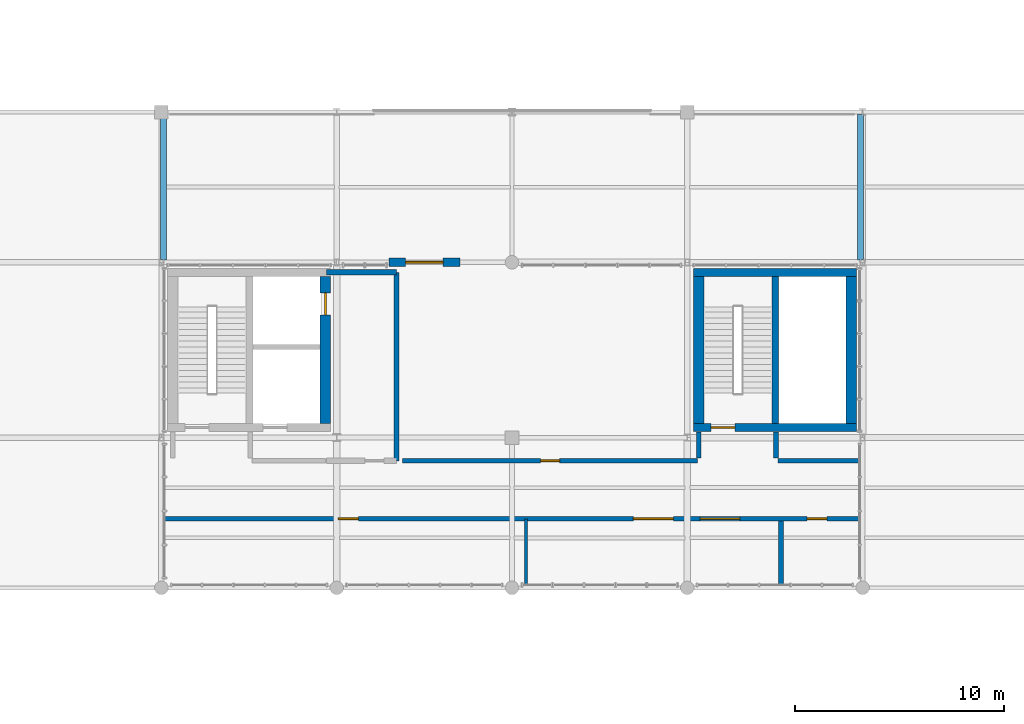
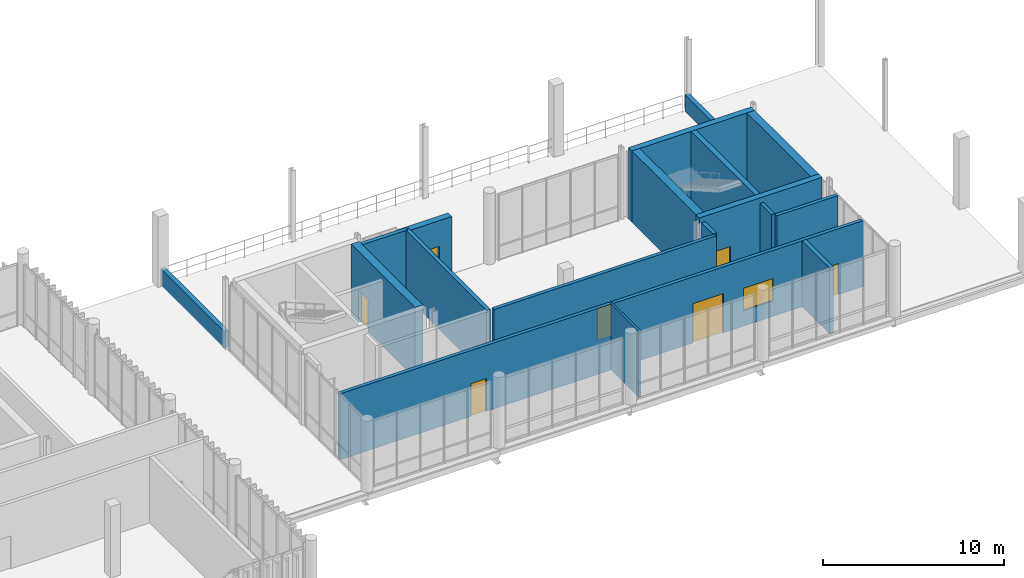
# One storey, part 71 of 81: 18 walls, 7 doors, 1 window, 8 openings.
"""IFC4 building model written with IfcOpenShell, lengths in metres."""

from ifc_helpers import new_model, si_unit, direction, frame, frame_2d, origin_with_axes, place, context, subcontext, project, spatial, rectangle, extrude, material, layer, layer_set, type_object, element, fill, save


model = new_model("IFC4")

# Units and contexts
model_context = context("Model", 3, precision=1e-05, world=origin_with_axes(), true_north=direction((0.0, 1.0)))
body_context = subcontext(model_context, "Body", "Model", "MODEL_VIEW")
ifc_project = project(units=[si_unit("LENGTHUNIT", "METRE"), si_unit("AREAUNIT", "SQUARE_METRE"), si_unit("VOLUMEUNIT", "CUBIC_METRE"), si_unit("PLANEANGLEUNIT", "RADIAN"), si_unit("MASSUNIT", "GRAM", prefix="KILO"), si_unit("THERMODYNAMICTEMPERATUREUNIT", "KELVIN")], contexts=[model_context])

# Site, building, storey
site_placement = place(None, origin_with_axes())
site = spatial("IfcSite", under=ifc_project, at=site_placement, CompositionType="ELEMENT")
building_placement = place(site_placement, origin_with_axes())
building = spatial("IfcBuilding", under=site, at=building_placement, Name="Montbau Bow Law Courts", CompositionType="ELEMENT")
storey_placement = place(building_placement, frame((0.0, 0.0, 24.9), z_axis=(0.0, 0.0, 1.0), x_axis=(1.0, 0.0, 0.0)))
storey = spatial("IfcBuildingStorey", under=building, at=storey_placement, Name="L05", CompositionType="ELEMENT", Elevation=24.9)

# Wall, opening, door
ifc_material_1 = material(Name="Concrete CSA A23.1 f'c 45 MPa", Category="concrete")
ifc_layer_1 = layer(ifc_material_1, 0.5, Name="Shear Wall", Category="concrete")
ifc_layer_set_1 = layer_set([ifc_layer_1], Name="Concrete CSA A23.1 f'c 45 MPa")
wall_type_1 = type_object("IfcWallType", Name="W-COR-01", PredefinedType="SHEAR", material=ifc_layer_set_1)
wall_1_placement = place(None, frame((63.06, 46.87, 24.9), z_axis=(0.0, 0.0, 1.0), x_axis=(0.0, 1.0, 0.0)))
wall_1 = element("IfcWall", 1, at=wall_1_placement, inside=storey, type_object=wall_type_1, Name="WC-L05-0189:wal_0256", PredefinedType="SHEAR", context=body_context, shape_type="SweptSolid", body=[
    extrude(rectangle(XDim=7.060000000000002, YDim=0.5, at=frame_2d((3.53, 0.0), x_axis=(1.0, 0.0))), origin_with_axes(), (0.0, 0.0, 1.0), 4.8),
])
opening_1_placement = place(None, frame((63.06, 52.61, 24.9), z_axis=(0.0, 0.0, 1.0), x_axis=(0.0, 1.0, 0.0)))
opening_1 = element("IfcOpeningElement", 2, at=opening_1_placement, cuts=wall_1, Name="OP-LD-L05-EL-J3", PredefinedType="OPENING", context=body_context, shape_type="SweptSolid", body=[
    extrude(rectangle(XDim=1.06, YDim=2.16, at=frame_2d((0.0, 1.08), x_axis=(1.0, 0.0))), frame((0.0, 0.26, 0.0), z_axis=(0.0, -1.0, 0.0), x_axis=(1.0, 0.0, 0.0)), (0.0, 0.0, 1.0), 0.52),
])
ifc_material_2 = material(Name="Bronze-Clad Judicial Elevator Landing Door", Category="steel")
door_type_1 = type_object("IfcDoorType", Name="LD-JUD-01", OperationType="NOTDEFINED", ParameterTakesPrecedence=False, PredefinedType="DOOR", material=ifc_material_2)
door_1_placement = place(None, frame((63.06, 52.61, 24.9), z_axis=(0.0, 0.0, 1.0), x_axis=(0.0, 1.0, 0.0)))
door_1 = element("IfcDoor", 3, at=door_1_placement, inside=storey, type_object=door_type_1, Name="LD-L05-EL-J3:dor_0115", OperationType="SLIDING_TO_LEFT", OverallHeight=2.16, OverallWidth=1.06, PredefinedType="DOOR", context=body_context, shape_type="SweptSolid", body=[
    extrude(rectangle(XDim=1.06, YDim=2.16, at=frame_2d((0.0, 1.08), x_axis=(1.0, 0.0))), frame((0.0, 0.04, 0.0), z_axis=(0.0, -1.0, 0.0), x_axis=(1.0, 0.0, 0.0)), (0.0, 0.0, 1.0), 0.08),
])
fill(opening_1, door_1)

# Walls
for number, where, z_axis, x_axis, name in (
    (4, (88.26, 46.87, 24.9), (0.0, 0.0, 1.0), (0.0, 1.0, 0.0), "WC-L05-0246:wal_0313"),
    (5, (80.94, 53.93, 24.9), (0.0, 0.0, 1.0), (0.0, -1.0, 0.0), "WC-L05-0247:wal_0314"),
):
    element("IfcWall", number, at=place(None, frame(where, z_axis=z_axis, x_axis=x_axis)), inside=storey, type_object=wall_type_1, Name=name, PredefinedType="SHEAR", context=body_context, shape_type="SweptSolid", body=[
        extrude(rectangle(XDim=7.060000000000002, YDim=0.5, at=frame_2d((3.53, 0.0), x_axis=(1.0, 0.0))), origin_with_axes(), (0.0, 0.0, 1.0), 4.8),
    ])

# Wall, opening, door
ifc_layer_2 = layer(ifc_material_1, 0.38, Name="Shear Wall", Category="concrete")
ifc_layer_set_2 = layer_set([ifc_layer_2], Name="Concrete CSA A23.1 f'c 45 MPa")
wall_type_2 = type_object("IfcWallType", Name="W-COR-04", PredefinedType="SHEAR", material=ifc_layer_set_2)
wall_2_placement = place(None, frame((80.69, 46.68, 24.9), z_axis=(0.0, 0.0, 1.0), x_axis=(1.0, 0.0, 0.0)))
wall_2 = element("IfcWall", 6, at=wall_2_placement, inside=storey, type_object=wall_type_2, Name="WC-L05-0244:wal_0311", PredefinedType="SHEAR", context=body_context, shape_type="SweptSolid", body=[
    extrude(rectangle(XDim=7.820000000000007, YDim=0.38, at=frame_2d((3.91, 0.0), x_axis=(1.0, 0.0))), origin_with_axes(), (0.0, 0.0, 1.0), 4.8),
])
opening_2_placement = place(None, frame((82.11, 46.68, 24.9), z_axis=(0.0, 0.0, 1.0), x_axis=(1.0, 0.0, 0.0)))
opening_2 = element("IfcOpeningElement", 7, at=opening_2_placement, cuts=wall_2, Name="OP-D-L05-ST-P3", PredefinedType="OPENING", context=body_context, shape_type="SweptSolid", body=[
    extrude(rectangle(XDim=1.14, YDim=2.18, at=frame_2d((0.0, 1.09), x_axis=(1.0, 0.0))), frame((0.0, 0.2, 0.0), z_axis=(0.0, -1.0, 0.0), x_axis=(1.0, 0.0, 0.0)), (0.0, 0.0, 1.0), 0.4),
])
ifc_material_3 = material(Name="1.5 h Fire-Rated Hollow-Metal Exit Stair Door", Category="steel")
door_type_2 = type_object("IfcDoorType", Name="D-ST-01", OperationType="NOTDEFINED", ParameterTakesPrecedence=False, PredefinedType="DOOR", material=ifc_material_3)
door_2_placement = place(None, frame((82.11, 46.68, 24.9), z_axis=(0.0, 0.0, 1.0), x_axis=(-1.0, 0.0, 0.0)))
door_2 = element("IfcDoor", 8, at=door_2_placement, inside=storey, type_object=door_type_2, Name="D-L05-ST-P3:dor_0131", OperationType="SINGLE_SWING_LEFT", OverallHeight=2.18, OverallWidth=1.14, PredefinedType="DOOR", context=body_context, shape_type="SweptSolid", body=[
    extrude(rectangle(XDim=1.14, YDim=2.18, at=frame_2d((0.0, 1.09), x_axis=(1.0, 0.0))), frame((0.0, 0.04, 0.0), z_axis=(0.0, -1.0, 0.0), x_axis=(1.0, 0.0, 0.0)), (0.0, 0.0, 1.0), 0.08),
])
fill(opening_2, door_2)

# Walls
wall_3_placement = place(None, frame((88.51, 54.12, 24.9), z_axis=(0.0, 0.0, 1.0), x_axis=(-1.0, 0.0, 0.0)))
element("IfcWall", 9, at=wall_3_placement, inside=storey, type_object=wall_type_2, Name="WC-L05-0245:wal_0312", PredefinedType="SHEAR", context=body_context, shape_type="SweptSolid", body=[
    extrude(rectangle(XDim=7.820000000000007, YDim=0.38, at=frame_2d((3.91, 0.0), x_axis=(1.0, 0.0))), origin_with_axes(), (0.0, 0.0, 1.0), 4.8),
])
ifc_layer_3 = layer(ifc_material_1, 0.32, Name="Shear Wall", Category="concrete")
ifc_layer_set_3 = layer_set([ifc_layer_3], Name="Concrete CSA A23.1 f'c 45 MPa")
wall_type_3 = type_object("IfcWallType", Name="W-COR-05", PredefinedType="SHEAR", material=ifc_layer_set_3)
wall_4_placement = place(None, frame((84.62, 46.87, 24.9), z_axis=(0.0, 0.0, 1.0), x_axis=(0.0, 1.0, 0.0)))
element("IfcWall", 10, at=wall_4_placement, inside=storey, type_object=wall_type_3, Name="WS-L05-0248:wal_0315", PredefinedType="SHEAR", context=body_context, shape_type="SweptSolid", body=[
    extrude(rectangle(XDim=7.060000000000002, YDim=0.32, at=frame_2d((3.53, 0.0), x_axis=(1.0, 0.0))), origin_with_axes(), (0.0, 0.0, 1.0), 4.8),
])

# Wall, opening, door
ifc_material_4 = material(Name="Polychrome Glazed Ceramic Rainscreen Insulated Wall", Category="masonry")
ifc_layer_4 = layer(ifc_material_4, 0.4, Name="Solid Wall", Category="masonry")
ifc_layer_set_4 = layer_set([ifc_layer_4], Name="Polychrome Glazed Ceramic Rainscreen Insulated Wall")
wall_type_4 = type_object("IfcWallType", Name="W-EXT-04", PredefinedType="SOLIDWALL", material=ifc_layer_set_4)
wall_5_placement = place(None, frame((66.1, 54.6, 24.9), z_axis=(0.0, 0.0, 1.0), x_axis=(1.0, 0.0, 0.0)))
wall_5 = element("IfcWall", 11, at=wall_5_placement, inside=storey, type_object=wall_type_4, Name="WE-L05-036:wal_0053", PredefinedType="SOLIDWALL", context=body_context, shape_type="SweptSolid", body=[
    extrude(rectangle(XDim=3.4000000000000057, YDim=0.4, at=frame_2d((1.7, 0.0), x_axis=(1.0, 0.0))), origin_with_axes(), (0.0, 0.0, 1.0), 4.024),
])
opening_3_placement = place(None, frame((67.8, 54.6, 24.9), z_axis=(0.0, 0.0, 1.0), x_axis=(1.0, 0.0, 0.0)))
opening_3 = element("IfcOpeningElement", 12, at=opening_3_placement, cuts=wall_5, Name="OP-D-TER-05", PredefinedType="OPENING", context=body_context, shape_type="SweptSolid", body=[
    extrude(rectangle(XDim=1.8, YDim=2.3, at=frame_2d((0.0, 1.15), x_axis=(1.0, 0.0))), frame((0.0, 0.21, 0.0), z_axis=(0.0, -1.0, 0.0), x_axis=(1.0, 0.0, 0.0)), (0.0, 0.0, 1.0), 0.42),
])
ifc_material_5 = material(Name="Thermally Broken Glazed Roof-Garden Double Door", Category="aluminium")
door_type_3 = type_object("IfcDoorType", Name="D-EXT-07", OperationType="NOTDEFINED", ParameterTakesPrecedence=False, PredefinedType="DOOR", material=ifc_material_5)
door_3_placement = place(None, frame((67.8, 54.6, 24.9), z_axis=(0.0, 0.0, 1.0), x_axis=(1.0, 0.0, 0.0)))
door_3 = element("IfcDoor", 13, at=door_3_placement, inside=storey, type_object=door_type_3, Name="D-TER-05:dor_0028", OperationType="DOUBLE_DOOR_SINGLE_SWING", OverallHeight=2.3, OverallWidth=1.8, PredefinedType="DOOR", context=body_context, shape_type="SweptSolid", body=[
    extrude(rectangle(XDim=1.8, YDim=2.3, at=frame_2d((0.0, 1.15), x_axis=(1.0, 0.0))), frame((0.0, 0.04, 0.0), z_axis=(0.0, -1.0, 0.0), x_axis=(1.0, 0.0, 0.0)), (0.0, 0.0, 1.0), 0.08),
])
fill(opening_3, door_3)

# Walls
ifc_material_6 = material(Name="Insulated Terracotta-Coping Terrace Parapet Assembly", Category="masonry")
ifc_layer_5 = layer(ifc_material_6, 0.28, Name="Parapet", Category="masonry")
ifc_layer_set_5 = layer_set([ifc_layer_5], Name="Insulated Terracotta-Coping Terrace Parapet Assembly")
wall_type_5 = type_object("IfcWallType", Name="W-PAR-02", PredefinedType="PARAPET", material=ifc_layer_set_5)
for number, where, z_axis, x_axis, name in (
    (14, (55.3, 54.704, 24.9), (0.0, 0.0, 1.0), (0.0, 1.0, 0.0), "PAR-TER-L05-V3-1:par_0006"),
    (15, (88.7, 61.7, 24.9), (0.0, 0.0, 1.0), (0.0, -1.0, 0.0), "PAR-TER-L05-V3-7:par_0007"),
):
    element("IfcWall", number, at=place(None, frame(where, z_axis=z_axis, x_axis=x_axis)), inside=storey, type_object=wall_type_5, Name=name, PredefinedType="PARAPET", context=body_context, shape_type="SweptSolid", body=[
        extrude(rectangle(XDim=6.996000000000002, YDim=0.28, at=frame_2d((3.498, 0.0), x_axis=(1.0, 0.0))), origin_with_axes(), (0.0, 0.0, 1.0), 1.12),
    ])
ifc_material_7 = material(Name="Double-Stud Acoustic Plumbing Chase Gypsum Assembly", Category="gypsum")
ifc_layer_6 = layer(ifc_material_7, 0.26, Name="Plumbing Wall", Category="gypsum")
ifc_layer_set_6 = layer_set([ifc_layer_6], Name="Double-Stud Acoustic Plumbing Chase Gypsum Assembly")
wall_type_6 = type_object("IfcWallType", Name="W-PLM-01", PredefinedType="PLUMBINGWALL", material=ifc_layer_set_6)
wall_6_placement = place(None, frame((84.89, 39.18, 24.9), z_axis=(0.0, 0.0, 1.0), x_axis=(0.0, 1.0, 0.0)))
element("IfcWall", 16, at=wall_6_placement, inside=storey, type_object=wall_type_6, Name="WD-L05-0859:wal_0926", PredefinedType="PLUMBINGWALL", context=body_context, shape_type="SweptSolid", body=[
    extrude(rectangle(XDim=3.030000000000001, YDim=0.26, at=frame_2d((1.515, 0.0), x_axis=(1.0, 0.0))), origin_with_axes(), (0.0, 0.0, 1.0), 4.44),
])
ifc_material_8 = material(Name="2 h Shaft and Exit-Passage Fire Separation Partition", Category="gypsum")
ifc_layer_7 = layer(ifc_material_8, 0.25, Name="Partition", Category="gypsum")
ifc_layer_set_7 = layer_set([ifc_layer_7], Name="2 h Shaft and Exit-Passage Fire Separation Partition")
wall_type_7 = type_object("IfcWallType", Name="W-PRT-01", PredefinedType="PARTITIONING", material=ifc_layer_set_7)
wall_7_placement = place(None, frame((66.46, 45.09, 24.9), z_axis=(0.0, 0.0, 1.0), x_axis=(0.0, 1.0, 0.0)))
element("IfcWall", 17, at=wall_7_placement, inside=storey, type_object=wall_type_7, Name="WEL-L05-0193:wal_0260", PredefinedType="PARTITIONING", context=body_context, shape_type="SweptSolid", body=[
    extrude(rectangle(XDim=9.029999999999994, YDim=0.25, at=frame_2d((4.515, 0.0), x_axis=(1.0, 0.0))), origin_with_axes(), (0.0, 0.0, 1.0), 4.44),
])
wall_8_placement = place(None, frame((63.1, 54.12, 24.9), z_axis=(0.0, 0.0, 1.0), x_axis=(1.0, 0.0, 0.0)))
element("IfcWall", 18, at=wall_8_placement, inside=storey, type_object=wall_type_7, Name="WEL-L05-0194:wal_0261", PredefinedType="PARTITIONING", context=body_context, shape_type="SweptSolid", body=[
    extrude(rectangle(XDim=3.3599999999999923, YDim=0.25, at=frame_2d((1.68, 0.0), x_axis=(1.0, 0.0))), origin_with_axes(), (0.0, 0.0, 1.0), 4.44),
])
ifc_material_9 = material(Name="STC-60 High-Acoustic Courtroom Perimeter Partition", Category="gypsum")
ifc_layer_8 = layer(ifc_material_9, 0.22, Name="Partition", Category="gypsum")
ifc_layer_set_8 = layer_set([ifc_layer_8], Name="STC-60 High-Acoustic Courtroom Perimeter Partition")
wall_type_8 = type_object("IfcWallType", Name="W-PRT-02", PredefinedType="PARTITIONING", material=ifc_layer_set_8)
for number, where, z_axis, x_axis, name in (
    (19, (80.94, 45.22, 24.9), (0.0, 0.0, 1.0), (0.0, 1.0, 0.0), "WCX-L05-0853:wal_0920"),
    (20, (84.65, 45.22, 24.9), (0.0, 0.0, 1.0), (0.0, 1.0, 0.0), "WCX-L05-0854:wal_0921"),
):
    element("IfcWall", number, at=place(None, frame(where, z_axis=z_axis, x_axis=x_axis)), inside=storey, type_object=wall_type_8, Name=name, PredefinedType="PARTITIONING", context=body_context, shape_type="SweptSolid", body=[
        extrude(rectangle(XDim=1.259999999999998, YDim=0.22, at=frame_2d((0.63, 0.0), x_axis=(1.0, 0.0))), origin_with_axes(), (0.0, 0.0, 1.0), 4.44),
    ])

# Wall, opening, door
wall_9_placement = place(None, frame((66.755, 45.09, 24.9), z_axis=(0.0, 0.0, 1.0), x_axis=(1.0, 0.0, 0.0)))
wall_9 = element("IfcWall", 21, at=wall_9_placement, inside=storey, type_object=wall_type_8, Name="WP-L05-0856:wal_0923", PredefinedType="PARTITIONING", context=body_context, shape_type="SweptSolid", body=[
    extrude(rectangle(XDim=14.14500000000001, YDim=0.22, at=frame_2d((7.0725, 0.0), x_axis=(1.0, 0.0))), origin_with_axes(), (0.0, 0.0, 1.0), 4.44),
])
opening_4_placement = place(None, frame((73.828, 45.09, 24.9), z_axis=(0.0, 0.0, 1.0), x_axis=(1.0, 0.0, 0.0)))
opening_4 = element("IfcOpeningElement", 22, at=opening_4_placement, cuts=wall_9, Name="OP-D-L05-360", PredefinedType="OPENING", context=body_context, shape_type="SweptSolid", body=[
    extrude(rectangle(XDim=0.92, YDim=2.14, at=frame_2d((0.0, 1.07), x_axis=(1.0, 0.0))), frame((0.0, 0.12, 0.0), z_axis=(0.0, -1.0, 0.0), x_axis=(1.0, 0.0, 0.0)), (0.0, 0.0, 1.0), 0.24),
])
ifc_material_10 = material(Name="Judicial Law Clerk and Registry Office Oak Door", Category="wood")
door_type_4 = type_object("IfcDoorType", Name="D-OFF-01", OperationType="NOTDEFINED", ParameterTakesPrecedence=False, PredefinedType="DOOR", material=ifc_material_10)
door_4_placement = place(None, frame((73.828, 45.09, 24.9), z_axis=(0.0, 0.0, 1.0), x_axis=(-1.0, 0.0, 0.0)))
door_4 = element("IfcDoor", 23, at=door_4_placement, inside=storey, type_object=door_type_4, Name="D-L05-360:dor_0395", OperationType="SINGLE_SWING_RIGHT", OverallHeight=2.14, OverallWidth=0.92, PredefinedType="DOOR", context=body_context, shape_type="SweptSolid", body=[
    extrude(rectangle(XDim=0.92, YDim=2.14, at=frame_2d((0.0, 1.07), x_axis=(1.0, 0.0))), frame((0.0, 0.04, 0.0), z_axis=(0.0, -1.0, 0.0), x_axis=(1.0, 0.0, 0.0)), (0.0, 0.0, 1.0), 0.08),
])
fill(opening_4, door_4)

# Wall
wall_10_placement = place(None, frame((84.75, 45.09, 24.9), z_axis=(0.0, 0.0, 1.0), x_axis=(1.0, 0.0, 0.0)))
element("IfcWall", 24, at=wall_10_placement, inside=storey, type_object=wall_type_8, Name="WP-L05-0857:wal_0924", PredefinedType="PARTITIONING", context=body_context, shape_type="SweptSolid", body=[
    extrude(rectangle(XDim=3.9099999999999966, YDim=0.22, at=frame_2d((1.955, 0.0), x_axis=(1.0, 0.0))), origin_with_axes(), (0.0, 0.0, 1.0), 4.44),
])

# Wall, openings, doors, window
wall_11_placement = place(None, frame((55.34, 42.31, 24.9), z_axis=(0.0, 0.0, 1.0), x_axis=(1.0, 0.0, 0.0)))
wall_11 = element("IfcWall", 25, at=wall_11_placement, inside=storey, type_object=wall_type_8, Name="WP-L05-0858:wal_0925", PredefinedType="PARTITIONING", context=body_context, shape_type="SweptSolid", body=[
    extrude(rectangle(XDim=33.31999999999999, YDim=0.22, at=frame_2d((16.66, 0.0), x_axis=(1.0, 0.0))), origin_with_axes(), (0.0, 0.0, 1.0), 4.44),
])
opening_5_placement = place(None, frame((64.163, 42.31, 24.9), z_axis=(0.0, 0.0, 1.0), x_axis=(1.0, 0.0, 0.0)))
opening_5 = element("IfcOpeningElement", 26, at=opening_5_placement, cuts=wall_11, Name="OP-D-L05-361", PredefinedType="OPENING", context=body_context, shape_type="SweptSolid", body=[
    extrude(rectangle(XDim=0.96, YDim=2.2, at=frame_2d((0.0, 1.1), x_axis=(1.0, 0.0))), frame((0.0, 0.12, 0.0), z_axis=(0.0, -1.0, 0.0), x_axis=(1.0, 0.0, 0.0)), (0.0, 0.0, 1.0), 0.24),
])
opening_6_placement = place(None, frame((78.776, 42.31, 24.9), z_axis=(0.0, 0.0, 1.0), x_axis=(1.0, 0.0, 0.0)))
opening_6 = element("IfcOpeningElement", 27, at=opening_6_placement, cuts=wall_11, Name="OP-D-L05-362", PredefinedType="OPENING", context=body_context, shape_type="SweptSolid", body=[
    extrude(rectangle(XDim=1.92, YDim=2.64, at=frame_2d((0.0, 1.32), x_axis=(1.0, 0.0))), frame((0.0, 0.12, 0.0), z_axis=(0.0, -1.0, 0.0), x_axis=(1.0, 0.0, 0.0)), (0.0, 0.0, 1.0), 0.24),
])
opening_7_placement = place(None, frame((86.613, 42.31, 24.9), z_axis=(0.0, 0.0, 1.0), x_axis=(1.0, 0.0, 0.0)))
opening_7 = element("IfcOpeningElement", 28, at=opening_7_placement, cuts=wall_11, Name="OP-D-L05-363", PredefinedType="OPENING", context=body_context, shape_type="SweptSolid", body=[
    extrude(rectangle(XDim=0.95, YDim=2.1, at=frame_2d((0.0, 1.05), x_axis=(1.0, 0.0))), frame((0.0, 0.12, 0.0), z_axis=(0.0, -1.0, 0.0), x_axis=(1.0, 0.0, 0.0)), (0.0, 0.0, 1.0), 0.24),
])
opening_8_placement = place(None, frame((81.966, 42.31, 25.95), z_axis=(0.0, 0.0, 1.0), x_axis=(1.0, 0.0, 0.0)))
opening_8 = element("IfcOpeningElement", 29, at=opening_8_placement, cuts=wall_11, Name="OP-WI-L05-15", PredefinedType="OPENING", context=body_context, shape_type="SweptSolid", body=[
    extrude(rectangle(XDim=1.9, YDim=1.5, at=frame_2d((0.0, 0.75), x_axis=(1.0, 0.0))), frame((0.0, 0.12, 0.0), z_axis=(0.0, -1.0, 0.0), x_axis=(1.0, 0.0, 0.0)), (0.0, 0.0, 1.0), 0.24),
])
ifc_material_11 = material(Name="Resident Judge Chambers Solid White-Oak Door", Category="wood")
door_type_5 = type_object("IfcDoorType", Name="D-CHM-01", OperationType="NOTDEFINED", ParameterTakesPrecedence=False, PredefinedType="DOOR", material=ifc_material_11)
door_5_placement = place(None, frame((64.163, 42.31, 24.9), z_axis=(0.0, 0.0, 1.0), x_axis=(1.0, 0.0, 0.0)))
door_5 = element("IfcDoor", 30, at=door_5_placement, inside=storey, type_object=door_type_5, Name="D-L05-361:dor_0396", OperationType="SINGLE_SWING_LEFT", OverallHeight=2.2, OverallWidth=0.96, PredefinedType="DOOR", context=body_context, shape_type="SweptSolid", body=[
    extrude(rectangle(XDim=0.96, YDim=2.2, at=frame_2d((0.0, 1.1), x_axis=(1.0, 0.0))), frame((0.0, 0.04, 0.0), z_axis=(0.0, -1.0, 0.0), x_axis=(1.0, 0.0, 0.0)), (0.0, 0.0, 1.0), 0.08),
])
fill(opening_5, door_5)
ifc_material_12 = material(Name="Law Library Reading Hall Glazed Bronze-Oak Double Door", Category="wood")
door_type_6 = type_object("IfcDoorType", Name="D-LIB-01", OperationType="NOTDEFINED", ParameterTakesPrecedence=False, PredefinedType="DOOR", material=ifc_material_12)
door_6_placement = place(None, frame((78.776, 42.31, 24.9), z_axis=(0.0, 0.0, 1.0), x_axis=(1.0, 0.0, 0.0)))
door_6 = element("IfcDoor", 31, at=door_6_placement, inside=storey, type_object=door_type_6, Name="D-L05-362:dor_0397", OperationType="DOUBLE_DOOR_SINGLE_SWING", OverallHeight=2.64, OverallWidth=1.92, PredefinedType="DOOR", context=body_context, shape_type="SweptSolid", body=[
    extrude(rectangle(XDim=1.92, YDim=2.64, at=frame_2d((0.0, 1.32), x_axis=(1.0, 0.0))), frame((0.0, 0.04, 0.0), z_axis=(0.0, -1.0, 0.0), x_axis=(1.0, 0.0, 0.0)), (0.0, 0.0, 1.0), 0.08),
])
fill(opening_6, door_6)
ifc_material_13 = material(Name="CSA B651 Universal Barrier-Free Washroom Door", Category="wood")
door_type_7 = type_object("IfcDoorType", Name="D-WC-01", OperationType="NOTDEFINED", ParameterTakesPrecedence=False, PredefinedType="DOOR", material=ifc_material_13)
door_7_placement = place(None, frame((86.613, 42.31, 24.9), z_axis=(0.0, 0.0, 1.0), x_axis=(1.0, 0.0, 0.0)))
door_7 = element("IfcDoor", 32, at=door_7_placement, inside=storey, type_object=door_type_7, Name="D-L05-363:dor_0398", OperationType="SINGLE_SWING_RIGHT", OverallHeight=2.1, OverallWidth=0.95, PredefinedType="DOOR", context=body_context, shape_type="SweptSolid", body=[
    extrude(rectangle(XDim=0.95, YDim=2.1, at=frame_2d((0.0, 1.05), x_axis=(1.0, 0.0))), frame((0.0, 0.04, 0.0), z_axis=(0.0, -1.0, 0.0), x_axis=(1.0, 0.0, 0.0)), (0.0, 0.0, 1.0), 0.08),
])
fill(opening_7, door_7)
ifc_material_14 = material(Name="Fire-Rated Acoustic Borrowed-Light Interior Glazing", Category="glass")
window_type = type_object("IfcWindowType", Name="WN-INT-01", ParameterTakesPrecedence=False, PartitioningType="SINGLE_PANEL", PredefinedType="WINDOW", material=ifc_material_14)
window_placement = place(None, frame((81.966, 42.31, 25.95), z_axis=(0.0, 0.0, 1.0), x_axis=(1.0, 0.0, 0.0)))
window = element("IfcWindow", 33, at=window_placement, inside=storey, type_object=window_type, Name="WI-L05-15:win_0137", OverallHeight=1.5, OverallWidth=1.9, PartitioningType="SINGLE_PANEL", PredefinedType="WINDOW", context=body_context, shape_type="SweptSolid", body=[
    extrude(rectangle(XDim=1.9, YDim=1.5, at=frame_2d((0.0, 0.75), x_axis=(1.0, 0.0))), frame((0.0, 0.03, 0.0), z_axis=(0.0, -1.0, 0.0), x_axis=(1.0, 0.0, 0.0)), (0.0, 0.0, 1.0), 0.06),
])
fill(opening_8, window)

# Wall
ifc_material_15 = material(Name="1 h Registry Office Steel-Stud Fire Partition", Category="gypsum")
ifc_layer_9 = layer(ifc_material_15, 0.14, Name="Partition", Category="gypsum")
ifc_layer_set_9 = layer_set([ifc_layer_9], Name="1 h Registry Office Steel-Stud Fire Partition")
wall_type_9 = type_object("IfcWallType", Name="W-PRT-06", PredefinedType="PARTITIONING", material=ifc_layer_set_9)
wall_12_placement = place(None, frame((72.663, 39.14, 24.9), z_axis=(0.0, 0.0, 1.0), x_axis=(0.0, 1.0, 0.0)))
element("IfcWall", 34, at=wall_12_placement, inside=storey, type_object=wall_type_9, Name="WD-L05-0860:wal_0927", PredefinedType="PARTITIONING", context=body_context, shape_type="SweptSolid", body=[
    extrude(rectangle(XDim=3.1700000000000017, YDim=0.14, at=frame_2d((1.585, 0.0), x_axis=(1.0, 0.0))), origin_with_axes(), (0.0, 0.0, 1.0), 4.44),
])

save(model, "model.ifc")
